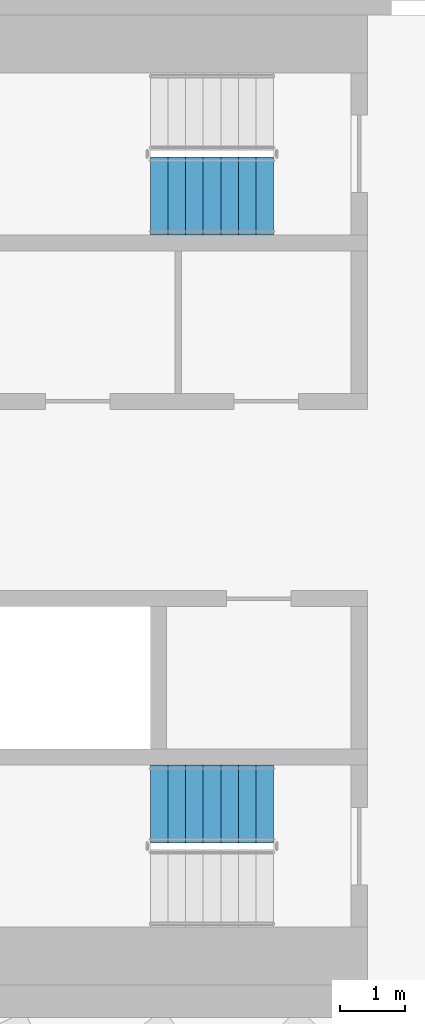
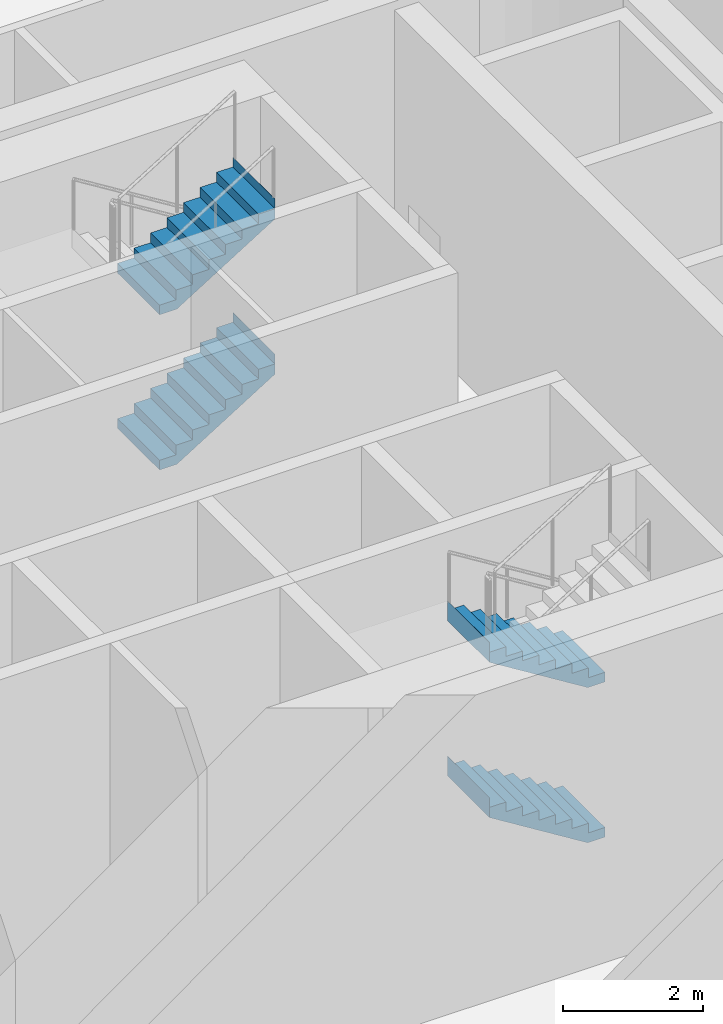
# One storey, part 10 of 18: 4 stair flights, 2 elements without a shape of their own.
"""IFC4 building model written with IfcOpenShell, lengths in metres."""

from ifc_helpers import new_model, si_unit, direction, frame, origin, place, context, subcontext, project, spatial, triangles, material, type_object, element, aggregate, save


model = new_model("IFC4")

# Units and contexts
model_context = context("Model", 3, precision=1e-05, world=origin(), true_north=direction((0.0, 1.0)))
body_context = subcontext(model_context, "Body", "Model", "MODEL_VIEW")
ifc_project = project(units=[si_unit("LENGTHUNIT", "METRE"), si_unit("AREAUNIT", "SQUARE_METRE"), si_unit("VOLUMEUNIT", "CUBIC_METRE"), si_unit("PLANEANGLEUNIT", "RADIAN"), si_unit("MASSUNIT", "GRAM", prefix="KILO")], contexts=[model_context])

# Site, building, storey
site_placement = place(None, origin())
site = spatial("IfcSite", under=ifc_project, at=site_placement, CompositionType="ELEMENT")
building_placement = place(site_placement, origin())
building = spatial("IfcBuilding", under=site, at=building_placement, Name="Sahrelin Media Tower", CompositionType="ELEMENT")
storey_placement = place(building_placement, frame((0.0, 0.0, 148.199951171875)))
storey = spatial("IfcBuildingStorey", under=building, at=storey_placement, Name="L30", CompositionType="ELEMENT", Elevation=148.199951171875)

# Stair, stair flights
ifc_material = material(Name="Concrete C40/50", Category="concrete")
stair_type = type_object("IfcStairType", Name="Exit stair 1200", PredefinedType="HALF_TURN_STAIR", material=ifc_material)
placement = place(storey_placement, origin())
stair_1 = element("IfcStair", 1, at=placement, inside=storey, type_object=stair_type, Name="L30 Exit stair ST3", PredefinedType="HALF_TURN_STAIR")
stair_flight_type = type_object("IfcStairFlightType", Name="Stair flight 1200", PredefinedType="STRAIGHT", material=ifc_material)
stair_flight_1_placement = place(storey_placement, frame((5.77490234375, 4.699951171875, 1.35009765625), z_axis=(0.0, 0.0, 1.0), x_axis=(1.0, 0.0, 0.0)))
stair_flight_1 = element("IfcStairFlight", 2, at=stair_flight_1_placement, type_object=stair_flight_type, Name="ST3 flight 2", NumberOfRisers=8, NumberOfTreads=7, PredefinedType="STRAIGHT", RiserHeight=0.16875, TreadLength=0.271428571, context=body_context, shape_type="Tessellation", body=[
    triangles([(0.283935546875, 0.60009765625, 0.0), (0.283935546875, 0.300048828125, 0.0), (0.283935546875, 0.0, 0.0), (0.283935546875, -0.300048828125, 0.0), (0.283935546875, -0.60009765625, 0.0), (1.89990234375, 0.60009765625, 1.004638671875), (1.89990234375, 0.300048828125, 1.004638671875), (1.89990234375, 0.0, 1.004638671875), (1.89990234375, -0.300048828125, 1.004638671875), (1.89990234375, -0.60009765625, 1.004638671875), (1.89990234375, 0.60009765625, 1.35009765625), (1.89990234375, 0.300048828125, 1.35009765625), (1.89990234375, 0.0, 1.35009765625), (1.89990234375, -0.300048828125, 1.35009765625), (1.89990234375, -0.60009765625, 1.35009765625), (1.89794921875, 0.60009765625, 1.35009765625), (1.89794921875, 0.300048828125, 1.35009765625), (1.89794921875, 0.0, 1.35009765625), (1.89794921875, -0.300048828125, 1.35009765625), (1.89794921875, -0.60009765625, 1.35009765625), (1.89794921875, 0.60009765625, 1.18115234375), (1.89794921875, 0.300048828125, 1.18115234375), (1.89794921875, 0.0, 1.18115234375), (1.89794921875, -0.300048828125, 1.18115234375), (1.89794921875, -0.60009765625, 1.18115234375), (1.628662109375, 0.60009765625, 1.18115234375), (1.628662109375, 0.300048828125, 1.18115234375), (1.628662109375, 0.0, 1.18115234375), (1.628662109375, -0.300048828125, 1.18115234375), (1.628662109375, -0.60009765625, 1.18115234375), (1.628662109375, 0.60009765625, 1.012451171875), (1.628662109375, 0.300048828125, 1.012451171875), (1.628662109375, 0.0, 1.012451171875), (1.628662109375, -0.300048828125, 1.012451171875), (1.628662109375, -0.60009765625, 1.012451171875), (1.357177734375, 0.60009765625, 1.012451171875), (1.357177734375, 0.300048828125, 1.012451171875), (1.357177734375, 0.0, 1.012451171875), (1.357177734375, -0.300048828125, 1.012451171875), (1.357177734375, -0.60009765625, 1.012451171875), (1.357177734375, 0.60009765625, 0.84375), (1.357177734375, 0.300048828125, 0.84375), (1.357177734375, 0.0, 0.84375), (1.357177734375, -0.300048828125, 0.84375), (1.357177734375, -0.60009765625, 0.84375), (1.085693359375, 0.60009765625, 0.84375), (1.085693359375, 0.300048828125, 0.84375), (1.085693359375, 0.0, 0.84375), (1.085693359375, -0.300048828125, 0.84375), (1.085693359375, -0.60009765625, 0.84375), (1.085693359375, 0.60009765625, 0.675048828125), (1.085693359375, 0.300048828125, 0.675048828125), (1.085693359375, 0.0, 0.675048828125), (1.085693359375, -0.300048828125, 0.675048828125), (1.085693359375, -0.60009765625, 0.675048828125), (0.814208984375, 0.60009765625, 0.675048828125), (0.814208984375, 0.300048828125, 0.675048828125), (0.814208984375, 0.0, 0.675048828125), (0.814208984375, -0.300048828125, 0.675048828125), (0.814208984375, -0.60009765625, 0.675048828125), (0.814208984375, 0.60009765625, 0.50634765625), (0.814208984375, 0.300048828125, 0.50634765625), (0.814208984375, 0.0, 0.50634765625), (0.814208984375, -0.300048828125, 0.50634765625), (0.814208984375, -0.60009765625, 0.50634765625), (0.54296875, 0.60009765625, 0.50634765625), (0.54296875, 0.300048828125, 0.50634765625), (0.54296875, 0.0, 0.50634765625), (0.54296875, -0.300048828125, 0.50634765625), (0.54296875, -0.60009765625, 0.50634765625), (0.54296875, 0.60009765625, 0.33740234375), (0.54296875, 0.300048828125, 0.33740234375), (0.54296875, 0.0, 0.33740234375), (0.54296875, -0.300048828125, 0.33740234375), (0.54296875, -0.60009765625, 0.33740234375), (0.271484375, 0.60009765625, 0.33740234375), (0.271484375, 0.300048828125, 0.33740234375), (0.271484375, 0.0, 0.33740234375), (0.271484375, -0.300048828125, 0.33740234375), (0.271484375, -0.60009765625, 0.33740234375), (0.271484375, 0.60009765625, 0.168701171875), (0.271484375, 0.300048828125, 0.168701171875), (0.271484375, 0.0, 0.168701171875), (0.271484375, -0.300048828125, 0.168701171875), (0.271484375, -0.60009765625, 0.168701171875), (0.0, 0.60009765625, 0.168701171875), (0.0, 0.300048828125, 0.168701171875), (0.0, 0.0, 0.168701171875), (0.0, -0.300048828125, 0.168701171875), (0.0, -0.60009765625, 0.168701171875), (0.0, 0.60009765625, 0.0), (0.0, 0.300048828125, 0.0), (0.0, 0.0, 0.0), (0.0, -0.300048828125, 0.0), (0.0, -0.60009765625, 0.0)], [[1, 6, 7], [1, 7, 2], [2, 7, 8], [2, 8, 3], [3, 8, 9], [3, 9, 4], [4, 9, 10], [4, 10, 5], [6, 11, 12], [6, 12, 7], [7, 12, 13], [7, 13, 8], [8, 13, 14], [8, 14, 9], [9, 14, 15], [9, 15, 10], [11, 16, 17], [11, 17, 12], [12, 17, 18], [12, 18, 13], [13, 18, 19], [13, 19, 14], [14, 19, 20], [14, 20, 15], [16, 21, 22], [16, 22, 17], [17, 22, 23], [17, 23, 18], [18, 23, 24], [18, 24, 19], [19, 24, 25], [19, 25, 20], [21, 26, 27], [21, 27, 22], [22, 27, 28], [22, 28, 23], [23, 28, 29], [23, 29, 24], [24, 29, 30], [24, 30, 25], [26, 31, 32], [26, 32, 27], [27, 32, 33], [27, 33, 28], [28, 33, 34], [28, 34, 29], [29, 34, 35], [29, 35, 30], [31, 36, 37], [31, 37, 32], [32, 37, 38], [32, 38, 33], [33, 38, 39], [33, 39, 34], [34, 39, 40], [34, 40, 35], [36, 41, 42], [36, 42, 37], [37, 42, 43], [37, 43, 38], [38, 43, 44], [38, 44, 39], [39, 44, 45], [39, 45, 40], [41, 46, 47], [41, 47, 42], [42, 47, 48], [42, 48, 43], [43, 48, 49], [43, 49, 44], [44, 49, 50], [44, 50, 45], [46, 51, 52], [46, 52, 47], [47, 52, 53], [47, 53, 48], [48, 53, 54], [48, 54, 49], [49, 54, 55], [49, 55, 50], [51, 56, 57], [51, 57, 52], [52, 57, 58], [52, 58, 53], [53, 58, 59], [53, 59, 54], [54, 59, 60], [54, 60, 55], [56, 61, 62], [56, 62, 57], [57, 62, 63], [57, 63, 58], [58, 63, 64], [58, 64, 59], [59, 64, 65], [59, 65, 60], [61, 66, 67], [61, 67, 62], [62, 67, 68], [62, 68, 63], [63, 68, 69], [63, 69, 64], [64, 69, 70], [64, 70, 65], [66, 71, 72], [66, 72, 67], [67, 72, 73], [67, 73, 68], [68, 73, 74], [68, 74, 69], [69, 74, 75], [69, 75, 70], [71, 76, 77], [71, 77, 72], [72, 77, 78], [72, 78, 73], [73, 78, 79], [73, 79, 74], [74, 79, 80], [74, 80, 75], [76, 81, 82], [76, 82, 77], [77, 82, 83], [77, 83, 78], [78, 83, 84], [78, 84, 79], [79, 84, 85], [79, 85, 80], [81, 86, 87], [81, 87, 82], [82, 87, 88], [82, 88, 83], [83, 88, 89], [83, 89, 84], [84, 89, 90], [84, 90, 85], [86, 91, 92], [86, 92, 87], [87, 92, 93], [87, 93, 88], [88, 93, 94], [88, 94, 89], [89, 94, 95], [89, 95, 90], [91, 1, 2], [91, 2, 92], [92, 2, 3], [92, 3, 93], [93, 3, 4], [93, 4, 94], [94, 4, 5], [94, 5, 95], [85, 90, 95], [81, 91, 86], [85, 75, 80], [81, 76, 71], [75, 65, 70], [71, 66, 61], [65, 55, 60], [61, 56, 51], [55, 45, 50], [51, 46, 41], [45, 35, 40], [41, 36, 31], [35, 25, 30], [31, 26, 21], [25, 15, 20], [21, 16, 11], [95, 5, 85], [91, 81, 1], [5, 55, 65], [1, 61, 51], [25, 10, 15], [21, 11, 6], [75, 85, 5], [71, 1, 81], [10, 45, 55], [6, 51, 41], [35, 10, 25], [31, 21, 6], [65, 75, 5], [61, 1, 71], [45, 10, 35], [41, 31, 6], [5, 10, 55], [1, 51, 6]], closed=True),
])
stair_flight_2_placement = place(storey_placement, frame((5.77490234375, 4.699951171875, 4.050048828125), z_axis=(0.0, 0.0, 1.0), x_axis=(1.0, 0.0, 0.0)))
stair_flight_2 = element("IfcStairFlight", 3, at=stair_flight_2_placement, type_object=stair_flight_type, Name="ST3 flight 4", NumberOfRisers=8, NumberOfTreads=7, PredefinedType="STRAIGHT", RiserHeight=0.16875, TreadLength=0.271428571, context=body_context, shape_type="Tessellation", body=[
    triangles([(0.283935546875, 0.60009765625, 0.0), (0.283935546875, 0.300048828125, 0.0), (0.283935546875, 0.0, 0.0), (0.283935546875, -0.300048828125, 0.0), (0.283935546875, -0.60009765625, 0.0), (1.89990234375, 0.60009765625, 1.004638671875), (1.89990234375, 0.300048828125, 1.004638671875), (1.89990234375, 0.0, 1.004638671875), (1.89990234375, -0.300048828125, 1.004638671875), (1.89990234375, -0.60009765625, 1.004638671875), (1.89990234375, 0.60009765625, 1.35009765625), (1.89990234375, 0.300048828125, 1.35009765625), (1.89990234375, 0.0, 1.35009765625), (1.89990234375, -0.300048828125, 1.35009765625), (1.89990234375, -0.60009765625, 1.35009765625), (1.89794921875, 0.60009765625, 1.35009765625), (1.89794921875, 0.300048828125, 1.35009765625), (1.89794921875, 0.0, 1.35009765625), (1.89794921875, -0.300048828125, 1.35009765625), (1.89794921875, -0.60009765625, 1.35009765625), (1.89794921875, 0.60009765625, 1.18115234375), (1.89794921875, 0.300048828125, 1.18115234375), (1.89794921875, 0.0, 1.18115234375), (1.89794921875, -0.300048828125, 1.18115234375), (1.89794921875, -0.60009765625, 1.18115234375), (1.628662109375, 0.60009765625, 1.18115234375), (1.628662109375, 0.300048828125, 1.18115234375), (1.628662109375, 0.0, 1.18115234375), (1.628662109375, -0.300048828125, 1.18115234375), (1.628662109375, -0.60009765625, 1.18115234375), (1.628662109375, 0.60009765625, 1.012451171875), (1.628662109375, 0.300048828125, 1.012451171875), (1.628662109375, 0.0, 1.012451171875), (1.628662109375, -0.300048828125, 1.012451171875), (1.628662109375, -0.60009765625, 1.012451171875), (1.357177734375, 0.60009765625, 1.012451171875), (1.357177734375, 0.300048828125, 1.012451171875), (1.357177734375, 0.0, 1.012451171875), (1.357177734375, -0.300048828125, 1.012451171875), (1.357177734375, -0.60009765625, 1.012451171875), (1.357177734375, 0.60009765625, 0.84375), (1.357177734375, 0.300048828125, 0.84375), (1.357177734375, 0.0, 0.84375), (1.357177734375, -0.300048828125, 0.84375), (1.357177734375, -0.60009765625, 0.84375), (1.085693359375, 0.60009765625, 0.84375), (1.085693359375, 0.300048828125, 0.84375), (1.085693359375, 0.0, 0.84375), (1.085693359375, -0.300048828125, 0.84375), (1.085693359375, -0.60009765625, 0.84375), (1.085693359375, 0.60009765625, 0.675048828125), (1.085693359375, 0.300048828125, 0.675048828125), (1.085693359375, 0.0, 0.675048828125), (1.085693359375, -0.300048828125, 0.675048828125), (1.085693359375, -0.60009765625, 0.675048828125), (0.814208984375, 0.60009765625, 0.675048828125), (0.814208984375, 0.300048828125, 0.675048828125), (0.814208984375, 0.0, 0.675048828125), (0.814208984375, -0.300048828125, 0.675048828125), (0.814208984375, -0.60009765625, 0.675048828125), (0.814208984375, 0.60009765625, 0.50634765625), (0.814208984375, 0.300048828125, 0.50634765625), (0.814208984375, 0.0, 0.50634765625), (0.814208984375, -0.300048828125, 0.50634765625), (0.814208984375, -0.60009765625, 0.50634765625), (0.54296875, 0.60009765625, 0.50634765625), (0.54296875, 0.300048828125, 0.50634765625), (0.54296875, 0.0, 0.50634765625), (0.54296875, -0.300048828125, 0.50634765625), (0.54296875, -0.60009765625, 0.50634765625), (0.54296875, 0.60009765625, 0.33740234375), (0.54296875, 0.300048828125, 0.33740234375), (0.54296875, 0.0, 0.33740234375), (0.54296875, -0.300048828125, 0.33740234375), (0.54296875, -0.60009765625, 0.33740234375), (0.271484375, 0.60009765625, 0.33740234375), (0.271484375, 0.300048828125, 0.33740234375), (0.271484375, 0.0, 0.33740234375), (0.271484375, -0.300048828125, 0.33740234375), (0.271484375, -0.60009765625, 0.33740234375), (0.271484375, 0.60009765625, 0.168701171875), (0.271484375, 0.300048828125, 0.168701171875), (0.271484375, 0.0, 0.168701171875), (0.271484375, -0.300048828125, 0.168701171875), (0.271484375, -0.60009765625, 0.168701171875), (0.0, 0.60009765625, 0.168701171875), (0.0, 0.300048828125, 0.168701171875), (0.0, 0.0, 0.168701171875), (0.0, -0.300048828125, 0.168701171875), (0.0, -0.60009765625, 0.168701171875), (0.0, 0.60009765625, 0.0), (0.0, 0.300048828125, 0.0), (0.0, 0.0, 0.0), (0.0, -0.300048828125, 0.0), (0.0, -0.60009765625, 0.0)], [[1, 6, 7], [1, 7, 2], [2, 7, 8], [2, 8, 3], [3, 8, 9], [3, 9, 4], [4, 9, 10], [4, 10, 5], [6, 11, 12], [6, 12, 7], [7, 12, 13], [7, 13, 8], [8, 13, 14], [8, 14, 9], [9, 14, 15], [9, 15, 10], [11, 16, 17], [11, 17, 12], [12, 17, 18], [12, 18, 13], [13, 18, 19], [13, 19, 14], [14, 19, 20], [14, 20, 15], [16, 21, 22], [16, 22, 17], [17, 22, 23], [17, 23, 18], [18, 23, 24], [18, 24, 19], [19, 24, 25], [19, 25, 20], [21, 26, 27], [21, 27, 22], [22, 27, 28], [22, 28, 23], [23, 28, 29], [23, 29, 24], [24, 29, 30], [24, 30, 25], [26, 31, 32], [26, 32, 27], [27, 32, 33], [27, 33, 28], [28, 33, 34], [28, 34, 29], [29, 34, 35], [29, 35, 30], [31, 36, 37], [31, 37, 32], [32, 37, 38], [32, 38, 33], [33, 38, 39], [33, 39, 34], [34, 39, 40], [34, 40, 35], [36, 41, 42], [36, 42, 37], [37, 42, 43], [37, 43, 38], [38, 43, 44], [38, 44, 39], [39, 44, 45], [39, 45, 40], [41, 46, 47], [41, 47, 42], [42, 47, 48], [42, 48, 43], [43, 48, 49], [43, 49, 44], [44, 49, 50], [44, 50, 45], [46, 51, 52], [46, 52, 47], [47, 52, 53], [47, 53, 48], [48, 53, 54], [48, 54, 49], [49, 54, 55], [49, 55, 50], [51, 56, 57], [51, 57, 52], [52, 57, 58], [52, 58, 53], [53, 58, 59], [53, 59, 54], [54, 59, 60], [54, 60, 55], [56, 61, 62], [56, 62, 57], [57, 62, 63], [57, 63, 58], [58, 63, 64], [58, 64, 59], [59, 64, 65], [59, 65, 60], [61, 66, 67], [61, 67, 62], [62, 67, 68], [62, 68, 63], [63, 68, 69], [63, 69, 64], [64, 69, 70], [64, 70, 65], [66, 71, 72], [66, 72, 67], [67, 72, 73], [67, 73, 68], [68, 73, 74], [68, 74, 69], [69, 74, 75], [69, 75, 70], [71, 76, 77], [71, 77, 72], [72, 77, 78], [72, 78, 73], [73, 78, 79], [73, 79, 74], [74, 79, 80], [74, 80, 75], [76, 81, 82], [76, 82, 77], [77, 82, 83], [77, 83, 78], [78, 83, 84], [78, 84, 79], [79, 84, 85], [79, 85, 80], [81, 86, 87], [81, 87, 82], [82, 87, 88], [82, 88, 83], [83, 88, 89], [83, 89, 84], [84, 89, 90], [84, 90, 85], [86, 91, 92], [86, 92, 87], [87, 92, 93], [87, 93, 88], [88, 93, 94], [88, 94, 89], [89, 94, 95], [89, 95, 90], [91, 1, 2], [91, 2, 92], [92, 2, 3], [92, 3, 93], [93, 3, 4], [93, 4, 94], [94, 4, 5], [94, 5, 95], [85, 90, 95], [81, 91, 86], [85, 75, 80], [81, 76, 71], [75, 65, 70], [71, 66, 61], [65, 55, 60], [61, 56, 51], [55, 45, 50], [51, 46, 41], [45, 35, 40], [41, 36, 31], [35, 25, 30], [31, 26, 21], [25, 15, 20], [21, 16, 11], [95, 5, 85], [91, 81, 1], [5, 55, 65], [1, 61, 51], [25, 10, 15], [21, 11, 6], [75, 85, 5], [71, 1, 81], [10, 45, 55], [6, 51, 41], [35, 10, 25], [31, 21, 6], [65, 75, 5], [61, 1, 71], [45, 10, 35], [41, 31, 6], [5, 10, 55], [1, 51, 6]], closed=True),
])
aggregate(stair_1, [stair_flight_1, stair_flight_2])

stair_2 = element("IfcStair", 4, at=placement, inside=storey, type_object=stair_type, Name="L30 Exit stair ST2", PredefinedType="HALF_TURN_STAIR")
stair_flight_3_placement = place(storey_placement, frame((7.675048828125, -4.699951171875, 0.0), z_axis=(0.0, 0.0, 1.0), x_axis=(-1.0, 0.0, 0.0)))
stair_flight_3 = element("IfcStairFlight", 5, at=stair_flight_3_placement, type_object=stair_flight_type, Name="ST2 flight 1", NumberOfRisers=8, NumberOfTreads=7, PredefinedType="STRAIGHT", RiserHeight=0.16875, TreadLength=0.271428571, context=body_context, shape_type="Tessellation", body=[
    triangles([(0.283935546875, 0.60009765625, 0.0), (0.283935546875, 0.300048828125, 0.0), (0.283935546875, 0.0, 0.0), (0.283935546875, -0.300048828125, 0.0), (0.283935546875, -0.60009765625, 0.0), (1.89990234375, 0.60009765625, 1.004638671875), (1.89990234375, 0.300048828125, 1.004638671875), (1.89990234375, 0.0, 1.004638671875), (1.89990234375, -0.300048828125, 1.004638671875), (1.89990234375, -0.60009765625, 1.004638671875), (1.89990234375, 0.60009765625, 1.35009765625), (1.89990234375, 0.300048828125, 1.35009765625), (1.89990234375, 0.0, 1.35009765625), (1.89990234375, -0.300048828125, 1.35009765625), (1.89990234375, -0.60009765625, 1.35009765625), (1.89794921875, 0.60009765625, 1.35009765625), (1.89794921875, 0.300048828125, 1.35009765625), (1.89794921875, 0.0, 1.35009765625), (1.89794921875, -0.300048828125, 1.35009765625), (1.89794921875, -0.60009765625, 1.35009765625), (1.89794921875, 0.60009765625, 1.18115234375), (1.89794921875, 0.300048828125, 1.18115234375), (1.89794921875, 0.0, 1.18115234375), (1.89794921875, -0.300048828125, 1.18115234375), (1.89794921875, -0.60009765625, 1.18115234375), (1.628662109375, 0.60009765625, 1.18115234375), (1.628662109375, 0.300048828125, 1.18115234375), (1.628662109375, 0.0, 1.18115234375), (1.628662109375, -0.300048828125, 1.18115234375), (1.628662109375, -0.60009765625, 1.18115234375), (1.628662109375, 0.60009765625, 1.012451171875), (1.628662109375, 0.300048828125, 1.012451171875), (1.628662109375, 0.0, 1.012451171875), (1.628662109375, -0.300048828125, 1.012451171875), (1.628662109375, -0.60009765625, 1.012451171875), (1.357177734375, 0.60009765625, 1.012451171875), (1.357177734375, 0.300048828125, 1.012451171875), (1.357177734375, 0.0, 1.012451171875), (1.357177734375, -0.300048828125, 1.012451171875), (1.357177734375, -0.60009765625, 1.012451171875), (1.357177734375, 0.60009765625, 0.84375), (1.357177734375, 0.300048828125, 0.84375), (1.357177734375, 0.0, 0.84375), (1.357177734375, -0.300048828125, 0.84375), (1.357177734375, -0.60009765625, 0.84375), (1.085693359375, 0.60009765625, 0.84375), (1.085693359375, 0.300048828125, 0.84375), (1.085693359375, 0.0, 0.84375), (1.085693359375, -0.300048828125, 0.84375), (1.085693359375, -0.60009765625, 0.84375), (1.085693359375, 0.60009765625, 0.675048828125), (1.085693359375, 0.300048828125, 0.675048828125), (1.085693359375, 0.0, 0.675048828125), (1.085693359375, -0.300048828125, 0.675048828125), (1.085693359375, -0.60009765625, 0.675048828125), (0.814208984375, 0.60009765625, 0.675048828125), (0.814208984375, 0.300048828125, 0.675048828125), (0.814208984375, 0.0, 0.675048828125), (0.814208984375, -0.300048828125, 0.675048828125), (0.814208984375, -0.60009765625, 0.675048828125), (0.814208984375, 0.60009765625, 0.50634765625), (0.814208984375, 0.300048828125, 0.50634765625), (0.814208984375, 0.0, 0.50634765625), (0.814208984375, -0.300048828125, 0.50634765625), (0.814208984375, -0.60009765625, 0.50634765625), (0.54296875, 0.60009765625, 0.50634765625), (0.54296875, 0.300048828125, 0.50634765625), (0.54296875, 0.0, 0.50634765625), (0.54296875, -0.300048828125, 0.50634765625), (0.54296875, -0.60009765625, 0.50634765625), (0.54296875, 0.60009765625, 0.33740234375), (0.54296875, 0.300048828125, 0.33740234375), (0.54296875, 0.0, 0.33740234375), (0.54296875, -0.300048828125, 0.33740234375), (0.54296875, -0.60009765625, 0.33740234375), (0.271484375, 0.60009765625, 0.33740234375), (0.271484375, 0.300048828125, 0.33740234375), (0.271484375, 0.0, 0.33740234375), (0.271484375, -0.300048828125, 0.33740234375), (0.271484375, -0.60009765625, 0.33740234375), (0.271484375, 0.60009765625, 0.168701171875), (0.271484375, 0.300048828125, 0.168701171875), (0.271484375, 0.0, 0.168701171875), (0.271484375, -0.300048828125, 0.168701171875), (0.271484375, -0.60009765625, 0.168701171875), (0.0, 0.60009765625, 0.168701171875), (0.0, 0.300048828125, 0.168701171875), (0.0, 0.0, 0.168701171875), (0.0, -0.300048828125, 0.168701171875), (0.0, -0.60009765625, 0.168701171875), (0.0, 0.60009765625, 0.0), (0.0, 0.300048828125, 0.0), (0.0, 0.0, 0.0), (0.0, -0.300048828125, 0.0), (0.0, -0.60009765625, 0.0)], [[1, 6, 7], [1, 7, 2], [2, 7, 8], [2, 8, 3], [3, 8, 9], [3, 9, 4], [4, 9, 10], [4, 10, 5], [6, 11, 12], [6, 12, 7], [7, 12, 13], [7, 13, 8], [8, 13, 14], [8, 14, 9], [9, 14, 15], [9, 15, 10], [11, 16, 17], [11, 17, 12], [12, 17, 18], [12, 18, 13], [13, 18, 19], [13, 19, 14], [14, 19, 20], [14, 20, 15], [16, 21, 22], [16, 22, 17], [17, 22, 23], [17, 23, 18], [18, 23, 24], [18, 24, 19], [19, 24, 25], [19, 25, 20], [21, 26, 27], [21, 27, 22], [22, 27, 28], [22, 28, 23], [23, 28, 29], [23, 29, 24], [24, 29, 30], [24, 30, 25], [26, 31, 32], [26, 32, 27], [27, 32, 33], [27, 33, 28], [28, 33, 34], [28, 34, 29], [29, 34, 35], [29, 35, 30], [31, 36, 37], [31, 37, 32], [32, 37, 38], [32, 38, 33], [33, 38, 39], [33, 39, 34], [34, 39, 40], [34, 40, 35], [36, 41, 42], [36, 42, 37], [37, 42, 43], [37, 43, 38], [38, 43, 44], [38, 44, 39], [39, 44, 45], [39, 45, 40], [41, 46, 47], [41, 47, 42], [42, 47, 48], [42, 48, 43], [43, 48, 49], [43, 49, 44], [44, 49, 50], [44, 50, 45], [46, 51, 52], [46, 52, 47], [47, 52, 53], [47, 53, 48], [48, 53, 54], [48, 54, 49], [49, 54, 55], [49, 55, 50], [51, 56, 57], [51, 57, 52], [52, 57, 58], [52, 58, 53], [53, 58, 59], [53, 59, 54], [54, 59, 60], [54, 60, 55], [56, 61, 62], [56, 62, 57], [57, 62, 63], [57, 63, 58], [58, 63, 64], [58, 64, 59], [59, 64, 65], [59, 65, 60], [61, 66, 67], [61, 67, 62], [62, 67, 68], [62, 68, 63], [63, 68, 69], [63, 69, 64], [64, 69, 70], [64, 70, 65], [66, 71, 72], [66, 72, 67], [67, 72, 73], [67, 73, 68], [68, 73, 74], [68, 74, 69], [69, 74, 75], [69, 75, 70], [71, 76, 77], [71, 77, 72], [72, 77, 78], [72, 78, 73], [73, 78, 79], [73, 79, 74], [74, 79, 80], [74, 80, 75], [76, 81, 82], [76, 82, 77], [77, 82, 83], [77, 83, 78], [78, 83, 84], [78, 84, 79], [79, 84, 85], [79, 85, 80], [81, 86, 87], [81, 87, 82], [82, 87, 88], [82, 88, 83], [83, 88, 89], [83, 89, 84], [84, 89, 90], [84, 90, 85], [86, 91, 92], [86, 92, 87], [87, 92, 93], [87, 93, 88], [88, 93, 94], [88, 94, 89], [89, 94, 95], [89, 95, 90], [91, 1, 2], [91, 2, 92], [92, 2, 3], [92, 3, 93], [93, 3, 4], [93, 4, 94], [94, 4, 5], [94, 5, 95], [85, 90, 95], [81, 91, 86], [85, 75, 80], [81, 76, 71], [75, 65, 70], [71, 66, 61], [65, 55, 60], [61, 56, 51], [55, 45, 50], [51, 46, 41], [45, 35, 40], [41, 36, 31], [35, 25, 30], [31, 26, 21], [25, 15, 20], [21, 16, 11], [95, 5, 85], [91, 81, 1], [5, 55, 65], [1, 61, 51], [25, 10, 15], [21, 11, 6], [75, 85, 5], [71, 1, 81], [10, 45, 55], [6, 51, 41], [35, 10, 25], [31, 21, 6], [65, 75, 5], [61, 1, 71], [45, 10, 35], [41, 31, 6], [5, 10, 55], [1, 51, 6]], closed=True),
])
stair_flight_4_placement = place(storey_placement, frame((7.675048828125, -4.699951171875, 2.699951171875), z_axis=(0.0, 0.0, 1.0), x_axis=(-1.0, 0.0, 0.0)))
stair_flight_4 = element("IfcStairFlight", 6, at=stair_flight_4_placement, type_object=stair_flight_type, Name="ST2 flight 3", NumberOfRisers=8, NumberOfTreads=7, PredefinedType="STRAIGHT", RiserHeight=0.16875, TreadLength=0.271428571, context=body_context, shape_type="Tessellation", body=[
    triangles([(0.283935546875, 0.60009765625, 0.0), (0.283935546875, 0.300048828125, 0.0), (0.283935546875, 0.0, 0.0), (0.283935546875, -0.300048828125, 0.0), (0.283935546875, -0.60009765625, 0.0), (1.89990234375, 0.60009765625, 1.004638671875), (1.89990234375, 0.300048828125, 1.004638671875), (1.89990234375, 0.0, 1.004638671875), (1.89990234375, -0.300048828125, 1.004638671875), (1.89990234375, -0.60009765625, 1.004638671875), (1.89990234375, 0.60009765625, 1.35009765625), (1.89990234375, 0.300048828125, 1.35009765625), (1.89990234375, 0.0, 1.35009765625), (1.89990234375, -0.300048828125, 1.35009765625), (1.89990234375, -0.60009765625, 1.35009765625), (1.89794921875, 0.60009765625, 1.35009765625), (1.89794921875, 0.300048828125, 1.35009765625), (1.89794921875, 0.0, 1.35009765625), (1.89794921875, -0.300048828125, 1.35009765625), (1.89794921875, -0.60009765625, 1.35009765625), (1.89794921875, 0.60009765625, 1.18115234375), (1.89794921875, 0.300048828125, 1.18115234375), (1.89794921875, 0.0, 1.18115234375), (1.89794921875, -0.300048828125, 1.18115234375), (1.89794921875, -0.60009765625, 1.18115234375), (1.628662109375, 0.60009765625, 1.18115234375), (1.628662109375, 0.300048828125, 1.18115234375), (1.628662109375, 0.0, 1.18115234375), (1.628662109375, -0.300048828125, 1.18115234375), (1.628662109375, -0.60009765625, 1.18115234375), (1.628662109375, 0.60009765625, 1.012451171875), (1.628662109375, 0.300048828125, 1.012451171875), (1.628662109375, 0.0, 1.012451171875), (1.628662109375, -0.300048828125, 1.012451171875), (1.628662109375, -0.60009765625, 1.012451171875), (1.357177734375, 0.60009765625, 1.012451171875), (1.357177734375, 0.300048828125, 1.012451171875), (1.357177734375, 0.0, 1.012451171875), (1.357177734375, -0.300048828125, 1.012451171875), (1.357177734375, -0.60009765625, 1.012451171875), (1.357177734375, 0.60009765625, 0.84375), (1.357177734375, 0.300048828125, 0.84375), (1.357177734375, 0.0, 0.84375), (1.357177734375, -0.300048828125, 0.84375), (1.357177734375, -0.60009765625, 0.84375), (1.085693359375, 0.60009765625, 0.84375), (1.085693359375, 0.300048828125, 0.84375), (1.085693359375, 0.0, 0.84375), (1.085693359375, -0.300048828125, 0.84375), (1.085693359375, -0.60009765625, 0.84375), (1.085693359375, 0.60009765625, 0.675048828125), (1.085693359375, 0.300048828125, 0.675048828125), (1.085693359375, 0.0, 0.675048828125), (1.085693359375, -0.300048828125, 0.675048828125), (1.085693359375, -0.60009765625, 0.675048828125), (0.814208984375, 0.60009765625, 0.675048828125), (0.814208984375, 0.300048828125, 0.675048828125), (0.814208984375, 0.0, 0.675048828125), (0.814208984375, -0.300048828125, 0.675048828125), (0.814208984375, -0.60009765625, 0.675048828125), (0.814208984375, 0.60009765625, 0.50634765625), (0.814208984375, 0.300048828125, 0.50634765625), (0.814208984375, 0.0, 0.50634765625), (0.814208984375, -0.300048828125, 0.50634765625), (0.814208984375, -0.60009765625, 0.50634765625), (0.54296875, 0.60009765625, 0.50634765625), (0.54296875, 0.300048828125, 0.50634765625), (0.54296875, 0.0, 0.50634765625), (0.54296875, -0.300048828125, 0.50634765625), (0.54296875, -0.60009765625, 0.50634765625), (0.54296875, 0.60009765625, 0.33740234375), (0.54296875, 0.300048828125, 0.33740234375), (0.54296875, 0.0, 0.33740234375), (0.54296875, -0.300048828125, 0.33740234375), (0.54296875, -0.60009765625, 0.33740234375), (0.271484375, 0.60009765625, 0.33740234375), (0.271484375, 0.300048828125, 0.33740234375), (0.271484375, 0.0, 0.33740234375), (0.271484375, -0.300048828125, 0.33740234375), (0.271484375, -0.60009765625, 0.33740234375), (0.271484375, 0.60009765625, 0.168701171875), (0.271484375, 0.300048828125, 0.168701171875), (0.271484375, 0.0, 0.168701171875), (0.271484375, -0.300048828125, 0.168701171875), (0.271484375, -0.60009765625, 0.168701171875), (0.0, 0.60009765625, 0.168701171875), (0.0, 0.300048828125, 0.168701171875), (0.0, 0.0, 0.168701171875), (0.0, -0.300048828125, 0.168701171875), (0.0, -0.60009765625, 0.168701171875), (0.0, 0.60009765625, 0.0), (0.0, 0.300048828125, 0.0), (0.0, 0.0, 0.0), (0.0, -0.300048828125, 0.0), (0.0, -0.60009765625, 0.0)], [[1, 6, 7], [1, 7, 2], [2, 7, 8], [2, 8, 3], [3, 8, 9], [3, 9, 4], [4, 9, 10], [4, 10, 5], [6, 11, 12], [6, 12, 7], [7, 12, 13], [7, 13, 8], [8, 13, 14], [8, 14, 9], [9, 14, 15], [9, 15, 10], [11, 16, 17], [11, 17, 12], [12, 17, 18], [12, 18, 13], [13, 18, 19], [13, 19, 14], [14, 19, 20], [14, 20, 15], [16, 21, 22], [16, 22, 17], [17, 22, 23], [17, 23, 18], [18, 23, 24], [18, 24, 19], [19, 24, 25], [19, 25, 20], [21, 26, 27], [21, 27, 22], [22, 27, 28], [22, 28, 23], [23, 28, 29], [23, 29, 24], [24, 29, 30], [24, 30, 25], [26, 31, 32], [26, 32, 27], [27, 32, 33], [27, 33, 28], [28, 33, 34], [28, 34, 29], [29, 34, 35], [29, 35, 30], [31, 36, 37], [31, 37, 32], [32, 37, 38], [32, 38, 33], [33, 38, 39], [33, 39, 34], [34, 39, 40], [34, 40, 35], [36, 41, 42], [36, 42, 37], [37, 42, 43], [37, 43, 38], [38, 43, 44], [38, 44, 39], [39, 44, 45], [39, 45, 40], [41, 46, 47], [41, 47, 42], [42, 47, 48], [42, 48, 43], [43, 48, 49], [43, 49, 44], [44, 49, 50], [44, 50, 45], [46, 51, 52], [46, 52, 47], [47, 52, 53], [47, 53, 48], [48, 53, 54], [48, 54, 49], [49, 54, 55], [49, 55, 50], [51, 56, 57], [51, 57, 52], [52, 57, 58], [52, 58, 53], [53, 58, 59], [53, 59, 54], [54, 59, 60], [54, 60, 55], [56, 61, 62], [56, 62, 57], [57, 62, 63], [57, 63, 58], [58, 63, 64], [58, 64, 59], [59, 64, 65], [59, 65, 60], [61, 66, 67], [61, 67, 62], [62, 67, 68], [62, 68, 63], [63, 68, 69], [63, 69, 64], [64, 69, 70], [64, 70, 65], [66, 71, 72], [66, 72, 67], [67, 72, 73], [67, 73, 68], [68, 73, 74], [68, 74, 69], [69, 74, 75], [69, 75, 70], [71, 76, 77], [71, 77, 72], [72, 77, 78], [72, 78, 73], [73, 78, 79], [73, 79, 74], [74, 79, 80], [74, 80, 75], [76, 81, 82], [76, 82, 77], [77, 82, 83], [77, 83, 78], [78, 83, 84], [78, 84, 79], [79, 84, 85], [79, 85, 80], [81, 86, 87], [81, 87, 82], [82, 87, 88], [82, 88, 83], [83, 88, 89], [83, 89, 84], [84, 89, 90], [84, 90, 85], [86, 91, 92], [86, 92, 87], [87, 92, 93], [87, 93, 88], [88, 93, 94], [88, 94, 89], [89, 94, 95], [89, 95, 90], [91, 1, 2], [91, 2, 92], [92, 2, 3], [92, 3, 93], [93, 3, 4], [93, 4, 94], [94, 4, 5], [94, 5, 95], [85, 90, 95], [81, 91, 86], [85, 75, 80], [81, 76, 71], [75, 65, 70], [71, 66, 61], [65, 55, 60], [61, 56, 51], [55, 45, 50], [51, 46, 41], [45, 35, 40], [41, 36, 31], [35, 25, 30], [31, 26, 21], [25, 15, 20], [21, 16, 11], [95, 5, 85], [91, 81, 1], [5, 55, 65], [1, 61, 51], [25, 10, 15], [21, 11, 6], [75, 85, 5], [71, 1, 81], [10, 45, 55], [6, 51, 41], [35, 10, 25], [31, 21, 6], [65, 75, 5], [61, 1, 71], [45, 10, 35], [41, 31, 6], [5, 10, 55], [1, 51, 6]], closed=True),
])
aggregate(stair_2, [stair_flight_3, stair_flight_4])

save(model, "model.ifc")
